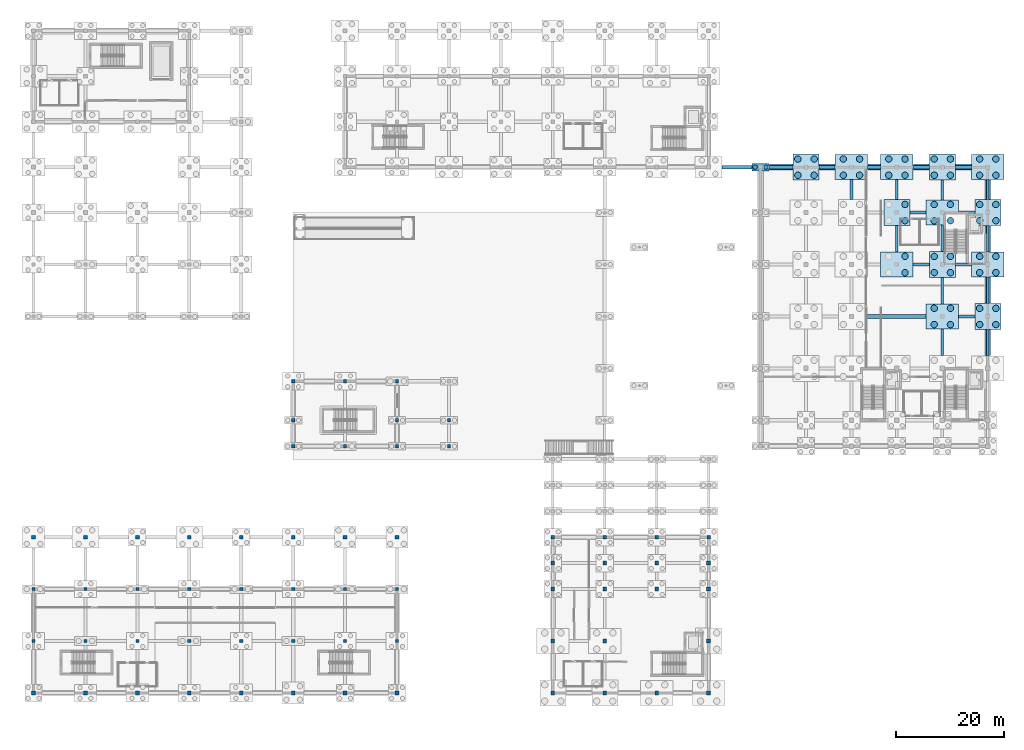
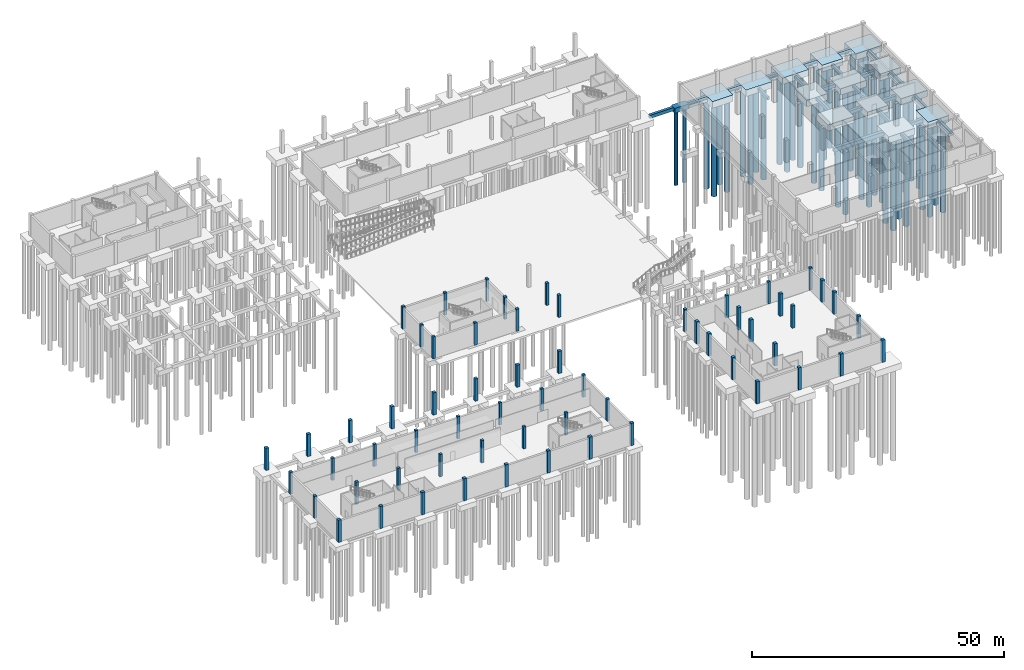
# One storey, part 9 of 41: 61 columns, 50 piles, 46 footings.
"""IFC4 building model written with IfcOpenShell, lengths in metres."""

from ifc_helpers import new_model, si_unit, direction, frame, origin, origin_2d, place, context, subcontext, project, spatial, rectangle, circle, extrude, material, material_profile, profile_set, type_object, element, save


model = new_model("IFC4")

# Units and contexts
model_context = context("Model", 3, precision=1e-05, world=origin(), true_north=direction((0.0, 1.0)))
body_context = subcontext(model_context, "Body", "Model", "MODEL_VIEW")
ifc_project = project(units=[si_unit("LENGTHUNIT", "METRE"), si_unit("AREAUNIT", "SQUARE_METRE"), si_unit("VOLUMEUNIT", "CUBIC_METRE"), si_unit("PLANEANGLEUNIT", "RADIAN"), si_unit("MASSUNIT", "GRAM", prefix="KILO")], contexts=[model_context])

# Site, building, storey
site_placement = place(None, origin())
site = spatial("IfcSite", under=ifc_project, at=site_placement, CompositionType="ELEMENT")
building_placement = place(site_placement, origin())
building = spatial("IfcBuilding", under=site, at=building_placement, Name="Shalvenor Court Art Gallery", CompositionType="ELEMENT")
storey_placement = place(building_placement, frame((0.0, 0.0, -5.39990234375)))
storey = spatial("IfcBuildingStorey", under=building, at=storey_placement, Name="B01", CompositionType="ELEMENT", Elevation=-5.39990234375)

# Footings
ifc_material_1 = material(Name="Concrete C35/45", Category="concrete")
footing_type_1 = type_object("IfcFootingType", Name="GB-01", PredefinedType="FOOTING_BEAM", material=ifc_material_1)
for number, where, z_axis, x_axis, name in (
    (1, (172.5, 69.60009765625, -1.26025390625), (0.0, 0.0, 1.0), (1.0, 0.0, 0.0), "B01 Ground Tie Beam FTG-413"),
    (2, (164.10009765625, 79.199951171875, -1.26025390625), (0.0, 0.0, 1.0), (1.0, 0.0, 0.0), "B01 Ground Tie Beam FTG-421"),
    (3, (171.89990234375, 79.199951171875, -1.26025390625), (0.0, 0.0, 1.0), (1.0, 0.0, 0.0), "B01 Ground Tie Beam FTG-422"),
    (4, (163.5, 88.800048828125, -1.26025390625), (0.0, 0.0, 1.0), (1.0, 0.0, 0.0), "B01 Ground Tie Beam FTG-430"),
    (5, (172.5, 88.800048828125, -1.26025390625), (0.0, 0.0, 1.0), (1.0, 0.0, 0.0), "B01 Ground Tie Beam FTG-431"),
):
    element("IfcFooting", number, at=place(storey_placement, frame(where, z_axis=z_axis, x_axis=x_axis)), inside=storey, type_object=footing_type_1, Name=name, PredefinedType="FOOTING_BEAM", context=body_context, shape_type="SweptSolid", body=[
        extrude(rectangle(XDim=3.0, YDim=0.60009765625, at=origin_2d()), origin(), (0.0, 0.0, 1.0), 0.800048828125),
    ])
footing_1_placement = place(storey_placement, frame((130.050048828125, 97.199951171875, -0.80029296875), z_axis=(0.0, 0.0, 1.0), x_axis=(1.0, 0.0, 0.0)))
element("IfcFooting", 6, at=footing_1_placement, inside=storey, type_object=footing_type_1, Name="B01 Ground Tie Beam FTG-441", PredefinedType="FOOTING_BEAM", context=body_context, shape_type="SweptSolid", body=[
    extrude(rectangle(XDim=5.5, YDim=0.60009765625, at=origin_2d()), origin(), (0.0, 0.0, 1.0), 0.800048828125),
])
footing_2_placement = place(storey_placement, frame((138.199951171875, 97.199951171875, -0.80029296875), z_axis=(0.0, 0.0, 1.0), x_axis=(1.0, 0.0, 0.0)))
element("IfcFooting", 7, at=footing_2_placement, inside=storey, type_object=footing_type_1, Name="B01 Ground Tie Beam FTG-442", PredefinedType="FOOTING_BEAM", context=body_context, shape_type="SweptSolid", body=[
    extrude(rectangle(XDim=4.39990234375, YDim=0.60009765625, at=origin_2d()), origin(), (0.0, 0.0, 1.0), 0.800048828125),
])
footing_3_placement = place(storey_placement, frame((146.699951171875, 97.199951171875, -0.80029296875), z_axis=(0.0, 0.0, 1.0), x_axis=(1.0, 0.0, 0.0)))
element("IfcFooting", 8, at=footing_3_placement, inside=storey, type_object=footing_type_1, Name="B01 Ground Tie Beam FTG-443", PredefinedType="FOOTING_BEAM", context=body_context, shape_type="SweptSolid", body=[
    extrude(rectangle(XDim=3.0, YDim=0.60009765625, at=origin_2d()), origin(), (0.0, 0.0, 1.0), 0.800048828125),
])
footing_4_placement = place(storey_placement, frame((155.39990234375, 97.199951171875, -0.80029296875), z_axis=(0.0, 0.0, 1.0), x_axis=(1.0, 0.0, 0.0)))
element("IfcFooting", 9, at=footing_4_placement, inside=storey, type_object=footing_type_1, Name="B01 Ground Tie Beam FTG-444", PredefinedType="FOOTING_BEAM", context=body_context, shape_type="SweptSolid", body=[
    extrude(rectangle(XDim=2.39990234375, YDim=0.60009765625, at=origin_2d()), origin(), (0.0, 0.0, 1.0), 0.800048828125),
])
for number, where, z_axis, x_axis, name in (
    (10, (164.10009765625, 97.199951171875, -0.80029296875), (0.0, 0.0, 1.0), (1.0, 0.0, 0.0), "B01 Ground Tie Beam FTG-445"),
    (11, (171.89990234375, 97.199951171875, -0.80029296875), (0.0, 0.0, 1.0), (1.0, 0.0, 0.0), "B01 Ground Tie Beam FTG-446"),
):
    element("IfcFooting", number, at=place(storey_placement, frame(where, z_axis=z_axis, x_axis=x_axis)), inside=storey, type_object=footing_type_1, Name=name, PredefinedType="FOOTING_BEAM", context=body_context, shape_type="SweptSolid", body=[
        extrude(rectangle(XDim=3.0, YDim=0.60009765625, at=origin_2d()), origin(), (0.0, 0.0, 1.0), 0.800048828125),
    ])
ifc_material_2 = material(Name="Concrete C35/45", Category="concrete")
footing_type_2 = type_object("IfcFootingType", Name="GB-02", PredefinedType="FOOTING_BEAM", material=ifc_material_2)
footing_5_placement = place(storey_placement, frame((151.199951171875, 93.050048828125, -1.16015625), z_axis=(0.0, 0.0, 1.0), x_axis=(0.0, 1.0, 0.0)))
element("IfcFooting", 12, at=footing_5_placement, inside=storey, type_object=footing_type_2, Name="B01 Ground Tie Beam FTG-317", PredefinedType="FOOTING_BEAM", context=body_context, shape_type="SweptSolid", body=[
    extrude(rectangle(XDim=3.699951171875, YDim=0.5, at=origin_2d()), origin(), (0.0, 0.0, 1.0), 0.699951171875),
])
footing_6_placement = place(storey_placement, frame((159.60009765625, 83.949951171875, -1.16015625), z_axis=(0.0, 0.0, 1.0), x_axis=(0.0, 1.0, 0.0)))
element("IfcFooting", 13, at=footing_6_placement, inside=storey, type_object=footing_type_2, Name="B01 Ground Tie Beam FTG-320", PredefinedType="FOOTING_BEAM", context=body_context, shape_type="SweptSolid", body=[
    extrude(rectangle(XDim=4.89990234375, YDim=0.5, at=origin_2d()), origin(), (0.0, 0.0, 1.0), 0.699951171875),
])
footing_7_placement = place(storey_placement, frame((159.60009765625, 93.050048828125, -1.16015625), z_axis=(0.0, 0.0, 1.0), x_axis=(0.0, 1.0, 0.0)))
element("IfcFooting", 14, at=footing_7_placement, inside=storey, type_object=footing_type_2, Name="B01 Ground Tie Beam FTG-321", PredefinedType="FOOTING_BEAM", context=body_context, shape_type="SweptSolid", body=[
    extrude(rectangle(XDim=3.699951171875, YDim=0.5, at=origin_2d()), origin(), (0.0, 0.0, 1.0), 0.699951171875),
])
for number, where, z_axis, x_axis, name in (
    (15, (168.0, 64.85009765625, -1.16015625), (0.0, 0.0, 1.0), (0.0, 1.0, 0.0), "B01 Ground Tie Beam FTG-324"),
    (16, (168.0, 74.35009765625, -1.16015625), (0.0, 0.0, 1.0), (0.0, 1.0, 0.0), "B01 Ground Tie Beam FTG-325"),
    (17, (168.0, 84.050048828125, -1.16015625), (0.0, 0.0, 1.0), (0.0, 1.0, 0.0), "B01 Ground Tie Beam FTG-326"),
):
    element("IfcFooting", number, at=place(storey_placement, frame(where, z_axis=z_axis, x_axis=x_axis)), inside=storey, type_object=footing_type_2, Name=name, PredefinedType="FOOTING_BEAM", context=body_context, shape_type="SweptSolid", body=[
        extrude(rectangle(XDim=4.89990234375, YDim=0.5, at=origin_2d()), origin(), (0.0, 0.0, 1.0), 0.699951171875),
    ])
footing_8_placement = place(storey_placement, frame((168.0, 92.949951171875, -1.16015625), z_axis=(0.0, 0.0, 1.0), x_axis=(0.0, 1.0, 0.0)))
element("IfcFooting", 18, at=footing_8_placement, inside=storey, type_object=footing_type_2, Name="B01 Ground Tie Beam FTG-327", PredefinedType="FOOTING_BEAM", context=body_context, shape_type="SweptSolid", body=[
    extrude(rectangle(XDim=3.699951171875, YDim=0.5, at=origin_2d()), origin(), (0.0, 0.0, 1.0), 0.699951171875),
])
for number, where, z_axis, x_axis, name in (
    (19, (176.39990234375, 64.75, -0.7001953125), (0.0, 0.0, 1.0), (0.0, 1.0, 0.0), "B01 Ground Tie Beam FTG-330"),
    (20, (176.39990234375, 74.449951171875, -0.7001953125), (0.0, 0.0, 1.0), (0.0, 1.0, 0.0), "B01 Ground Tie Beam FTG-331"),
    (21, (176.39990234375, 83.949951171875, -0.7001953125), (0.0, 0.0, 1.0), (0.0, 1.0, 0.0), "B01 Ground Tie Beam FTG-332"),
):
    element("IfcFooting", number, at=place(storey_placement, frame(where, z_axis=z_axis, x_axis=x_axis)), inside=storey, type_object=footing_type_2, Name=name, PredefinedType="FOOTING_BEAM", context=body_context, shape_type="SweptSolid", body=[
        extrude(rectangle(XDim=4.89990234375, YDim=0.5, at=origin_2d()), origin(), (0.0, 0.0, 1.0), 0.699951171875),
    ])
footing_9_placement = place(storey_placement, frame((176.39990234375, 93.050048828125, -0.7001953125), z_axis=(0.0, 0.0, 1.0), x_axis=(0.0, 1.0, 0.0)))
element("IfcFooting", 22, at=footing_9_placement, inside=storey, type_object=footing_type_2, Name="B01 Ground Tie Beam FTG-333", PredefinedType="FOOTING_BEAM", context=body_context, shape_type="SweptSolid", body=[
    extrude(rectangle(XDim=3.699951171875, YDim=0.5, at=origin_2d()), origin(), (0.0, 0.0, 1.0), 0.699951171875),
])
ifc_material_3 = material(Name="Concrete C35/45", Category="concrete")
footing_type_3 = type_object("IfcFootingType", Name="GB-03", PredefinedType="FOOTING_BEAM", material=ifc_material_3)
footing_10_placement = place(storey_placement, frame((159.300048828125, 69.60009765625, -1.360107421875), z_axis=(0.0, 0.0, 1.0), x_axis=(1.0, 0.0, 0.0)))
element("IfcFooting", 23, at=footing_10_placement, inside=storey, type_object=footing_type_3, Name="B01 Ground Tie Beam FTG-412", PredefinedType="FOOTING_BEAM", context=body_context, shape_type="SweptSolid", body=[
    extrude(rectangle(XDim=11.39990234375, YDim=0.699951171875, at=origin_2d()), origin(), (0.0, 0.0, 1.0), 0.89990234375),
])
ifc_material_4 = material(Name="Concrete C35/45", Category="concrete")
footing_type_4 = type_object("IfcFootingType", Name="PC-01", PredefinedType="PILE_CAP", material=ifc_material_4)
footing_11_placement = place(storey_placement, frame((134.39990234375, 97.199951171875, -1.2001953125), z_axis=(0.0, 0.0, 1.0), x_axis=(1.0, 0.0, 0.0)))
element("IfcFooting", 24, at=footing_11_placement, inside=storey, type_object=footing_type_4, Name="B01 Pile Cap FTG-150", PredefinedType="PILE_CAP", context=body_context, shape_type="SweptSolid", body=[
    extrude(rectangle(XDim=3.199951171875, YDim=1.39990234375, at=origin_2d()), origin(), (0.0, 0.0, 1.0), 1.199951171875),
])
ifc_material_5 = material(Name="Concrete C35/45", Category="concrete")
footing_type_5 = type_object("IfcFootingType", Name="PC-08", PredefinedType="PILE_CAP", material=ifc_material_5)
for number, where, z_axis, x_axis, name in (
    (25, (142.800048828125, 97.199951171875, -1.60009765625), (0.0, 0.0, 1.0), (1.0, 0.0, 0.0), "B01 Pile Cap FTG-157"),
    (26, (159.60009765625, 88.800048828125, -2.06005859375), (0.0, 0.0, 1.0), (1.0, 0.0, 0.0), "B01 Pile Cap FTG-169"),
    (27, (168.0, 79.199951171875, -2.06005859375), (0.0, 0.0, 1.0), (1.0, 0.0, 0.0), "B01 Pile Cap FTG-175"),
    (28, (168.0, 97.199951171875, -1.60009765625), (0.0, 0.0, 1.0), (1.0, 0.0, 0.0), "B01 Pile Cap FTG-177"),
    (29, (176.39990234375, 69.60009765625, -1.60009765625), (0.0, 0.0, 1.0), (1.0, 0.0, 0.0), "B01 Pile Cap FTG-181"),
    (30, (176.39990234375, 88.800048828125, -1.60009765625), (0.0, 0.0, 1.0), (1.0, 0.0, 0.0), "B01 Pile Cap FTG-183"),
):
    element("IfcFooting", number, at=place(storey_placement, frame(where, z_axis=z_axis, x_axis=x_axis)), inside=storey, type_object=footing_type_5, Name=name, PredefinedType="PILE_CAP", context=body_context, shape_type="SweptSolid", body=[
        extrude(rectangle(XDim=4.800048828125, YDim=4.800048828125, at=origin_2d()), origin(), (0.0, 0.0, 1.0), 1.60009765625),
    ])
ifc_material_6 = material(Name="Concrete C35/45", Category="concrete")
footing_type_6 = type_object("IfcFootingType", Name="PC-09", PredefinedType="PILE_CAP", material=ifc_material_6)
for number, where, z_axis, x_axis, name in (
    (31, (151.199951171875, 97.199951171875, -1.55029296875), (0.0, 0.0, 1.0), (1.0, 0.0, 0.0), "B01 Pile Cap FTG-164"),
    (32, (159.60009765625, 79.199951171875, -2.01025390625), (0.0, 0.0, 1.0), (1.0, 0.0, 0.0), "B01 Pile Cap FTG-168"),
    (33, (159.60009765625, 97.199951171875, -1.55029296875), (0.0, 0.0, 1.0), (1.0, 0.0, 0.0), "B01 Pile Cap FTG-170"),
    (34, (168.0, 69.60009765625, -2.01025390625), (0.0, 0.0, 1.0), (1.0, 0.0, 0.0), "B01 Pile Cap FTG-174"),
    (35, (168.0, 88.800048828125, -2.01025390625), (0.0, 0.0, 1.0), (1.0, 0.0, 0.0), "B01 Pile Cap FTG-176"),
    (36, (176.39990234375, 79.199951171875, -1.55029296875), (0.0, 0.0, 1.0), (1.0, 0.0, 0.0), "B01 Pile Cap FTG-182"),
    (37, (176.39990234375, 97.199951171875, -1.55029296875), (0.0, 0.0, 1.0), (1.0, 0.0, 0.0), "B01 Pile Cap FTG-184"),
):
    element("IfcFooting", number, at=place(storey_placement, frame(where, z_axis=z_axis, x_axis=x_axis)), inside=storey, type_object=footing_type_6, Name=name, PredefinedType="PILE_CAP", context=body_context, shape_type="SweptSolid", body=[
        extrude(rectangle(XDim=6.0, YDim=4.60009765625, at=origin_2d()), origin(), (0.0, 0.0, 1.0), 1.550048828125),
    ])

# Piles
ifc_material_7 = material(Name="Concrete C35/45", Category="concrete")
ifc_material_profile_1 = material_profile(ifc_material_7, circle(Radius=0.60009765625, at=origin_2d()), Name="PILE 1200")
ifc_profile_set_1 = profile_set([ifc_material_profile_1], Name="Concrete C35/45")
pile_type_1 = type_object("IfcPileType", Name="PL-1200", PredefinedType="BORED", material=ifc_profile_set_1)
for number, where, z_axis, x_axis, name in (
    (38, (141.300048828125, 95.699951171875, -1.5), (0.0, 0.0, -1.0), (1.0, 0.0, 0.0), "B01 Bored Pile PIL-PL-1200-0523"),
    (39, (144.300048828125, 95.699951171875, -1.5), (0.0, 0.0, -1.0), (1.0, 0.0, 0.0), "B01 Bored Pile PIL-PL-1200-0524"),
    (40, (141.300048828125, 98.699951171875, -1.5), (0.0, 0.0, -1.0), (1.0, 0.0, 0.0), "B01 Bored Pile PIL-PL-1200-0525"),
    (41, (144.300048828125, 98.699951171875, -1.5), (0.0, 0.0, -1.0), (1.0, 0.0, 0.0), "B01 Bored Pile PIL-PL-1200-0526"),
    (42, (149.699951171875, 95.699951171875, -1.4501953125), (0.0, 0.0, -1.0), (1.0, 0.0, 0.0), "B01 Bored Pile PIL-PL-1200-0551"),
    (43, (152.699951171875, 95.699951171875, -1.4501953125), (0.0, 0.0, -1.0), (1.0, 0.0, 0.0), "B01 Bored Pile PIL-PL-1200-0552"),
    (44, (149.699951171875, 98.699951171875, -1.4501953125), (0.0, 0.0, -1.0), (1.0, 0.0, 0.0), "B01 Bored Pile PIL-PL-1200-0553"),
    (45, (152.699951171875, 98.699951171875, -1.4501953125), (0.0, 0.0, -1.0), (1.0, 0.0, 0.0), "B01 Bored Pile PIL-PL-1200-0554"),
    (46, (161.10009765625, 77.699951171875, -1.91015625), (0.0, 0.0, -1.0), (1.0, 0.0, 0.0), "B01 Bored Pile PIL-PL-1200-0568"),
    (47, (161.10009765625, 80.699951171875, -1.91015625), (0.0, 0.0, -1.0), (1.0, 0.0, 0.0), "B01 Bored Pile PIL-PL-1200-0570"),
    (48, (161.10009765625, 87.300048828125, -1.960205078125), (0.0, 0.0, -1.0), (1.0, 0.0, 0.0), "B01 Bored Pile PIL-PL-1200-0572"),
    (49, (161.10009765625, 90.300048828125, -1.960205078125), (0.0, 0.0, -1.0), (1.0, 0.0, 0.0), "B01 Bored Pile PIL-PL-1200-0574"),
    (50, (158.10009765625, 95.699951171875, -1.4501953125), (0.0, 0.0, -1.0), (1.0, 0.0, 0.0), "B01 Bored Pile PIL-PL-1200-0575"),
    (51, (161.10009765625, 95.699951171875, -1.4501953125), (0.0, 0.0, -1.0), (1.0, 0.0, 0.0), "B01 Bored Pile PIL-PL-1200-0576"),
    (52, (158.10009765625, 98.699951171875, -1.4501953125), (0.0, 0.0, -1.0), (1.0, 0.0, 0.0), "B01 Bored Pile PIL-PL-1200-0577"),
    (53, (161.10009765625, 98.699951171875, -1.4501953125), (0.0, 0.0, -1.0), (1.0, 0.0, 0.0), "B01 Bored Pile PIL-PL-1200-0578"),
    (54, (166.5, 68.10009765625, -1.91015625), (0.0, 0.0, -1.0), (1.0, 0.0, 0.0), "B01 Bored Pile PIL-PL-1200-0591"),
    (55, (169.5, 68.10009765625, -1.91015625), (0.0, 0.0, -1.0), (1.0, 0.0, 0.0), "B01 Bored Pile PIL-PL-1200-0592"),
    (56, (166.5, 71.10009765625, -1.91015625), (0.0, 0.0, -1.0), (1.0, 0.0, 0.0), "B01 Bored Pile PIL-PL-1200-0593"),
    (57, (169.5, 71.10009765625, -1.91015625), (0.0, 0.0, -1.0), (1.0, 0.0, 0.0), "B01 Bored Pile PIL-PL-1200-0594"),
    (58, (166.5, 77.699951171875, -1.960205078125), (0.0, 0.0, -1.0), (1.0, 0.0, 0.0), "B01 Bored Pile PIL-PL-1200-0595"),
    (59, (169.5, 77.699951171875, -1.960205078125), (0.0, 0.0, -1.0), (1.0, 0.0, 0.0), "B01 Bored Pile PIL-PL-1200-0596"),
    (60, (166.5, 80.699951171875, -1.960205078125), (0.0, 0.0, -1.0), (1.0, 0.0, 0.0), "B01 Bored Pile PIL-PL-1200-0597"),
    (61, (169.5, 80.699951171875, -1.960205078125), (0.0, 0.0, -1.0), (1.0, 0.0, 0.0), "B01 Bored Pile PIL-PL-1200-0598"),
    (62, (166.5, 87.300048828125, -1.91015625), (0.0, 0.0, -1.0), (1.0, 0.0, 0.0), "B01 Bored Pile PIL-PL-1200-0599"),
    (63, (169.5, 87.300048828125, -1.91015625), (0.0, 0.0, -1.0), (1.0, 0.0, 0.0), "B01 Bored Pile PIL-PL-1200-0600"),
    (64, (166.5, 90.300048828125, -1.91015625), (0.0, 0.0, -1.0), (1.0, 0.0, 0.0), "B01 Bored Pile PIL-PL-1200-0601"),
    (65, (169.5, 90.300048828125, -1.91015625), (0.0, 0.0, -1.0), (1.0, 0.0, 0.0), "B01 Bored Pile PIL-PL-1200-0602"),
    (66, (166.5, 95.699951171875, -1.5), (0.0, 0.0, -1.0), (1.0, 0.0, 0.0), "B01 Bored Pile PIL-PL-1200-0603"),
    (67, (169.5, 95.699951171875, -1.5), (0.0, 0.0, -1.0), (1.0, 0.0, 0.0), "B01 Bored Pile PIL-PL-1200-0604"),
    (68, (166.5, 98.699951171875, -1.5), (0.0, 0.0, -1.0), (1.0, 0.0, 0.0), "B01 Bored Pile PIL-PL-1200-0605"),
    (69, (169.5, 98.699951171875, -1.5), (0.0, 0.0, -1.0), (1.0, 0.0, 0.0), "B01 Bored Pile PIL-PL-1200-0606"),
    (70, (174.89990234375, 68.10009765625, -1.5), (0.0, 0.0, -1.0), (1.0, 0.0, 0.0), "B01 Bored Pile PIL-PL-1200-0619"),
    (71, (177.89990234375, 68.10009765625, -1.5), (0.0, 0.0, -1.0), (1.0, 0.0, 0.0), "B01 Bored Pile PIL-PL-1200-0620"),
    (72, (174.89990234375, 71.10009765625, -1.5), (0.0, 0.0, -1.0), (1.0, 0.0, 0.0), "B01 Bored Pile PIL-PL-1200-0621"),
    (73, (177.89990234375, 71.10009765625, -1.5), (0.0, 0.0, -1.0), (1.0, 0.0, 0.0), "B01 Bored Pile PIL-PL-1200-0622"),
    (74, (174.89990234375, 77.699951171875, -1.4501953125), (0.0, 0.0, -1.0), (1.0, 0.0, 0.0), "B01 Bored Pile PIL-PL-1200-0623"),
    (75, (177.89990234375, 77.699951171875, -1.4501953125), (0.0, 0.0, -1.0), (1.0, 0.0, 0.0), "B01 Bored Pile PIL-PL-1200-0624"),
    (76, (174.89990234375, 80.699951171875, -1.4501953125), (0.0, 0.0, -1.0), (1.0, 0.0, 0.0), "B01 Bored Pile PIL-PL-1200-0625"),
    (77, (177.89990234375, 80.699951171875, -1.4501953125), (0.0, 0.0, -1.0), (1.0, 0.0, 0.0), "B01 Bored Pile PIL-PL-1200-0626"),
    (78, (174.89990234375, 87.300048828125, -1.5), (0.0, 0.0, -1.0), (1.0, 0.0, 0.0), "B01 Bored Pile PIL-PL-1200-0627"),
    (79, (177.89990234375, 87.300048828125, -1.5), (0.0, 0.0, -1.0), (1.0, 0.0, 0.0), "B01 Bored Pile PIL-PL-1200-0628"),
    (80, (174.89990234375, 90.300048828125, -1.5), (0.0, 0.0, -1.0), (1.0, 0.0, 0.0), "B01 Bored Pile PIL-PL-1200-0629"),
    (81, (177.89990234375, 90.300048828125, -1.5), (0.0, 0.0, -1.0), (1.0, 0.0, 0.0), "B01 Bored Pile PIL-PL-1200-0630"),
    (82, (174.89990234375, 95.699951171875, -1.4501953125), (0.0, 0.0, -1.0), (1.0, 0.0, 0.0), "B01 Bored Pile PIL-PL-1200-0631"),
    (83, (177.89990234375, 95.699951171875, -1.4501953125), (0.0, 0.0, -1.0), (1.0, 0.0, 0.0), "B01 Bored Pile PIL-PL-1200-0632"),
    (84, (174.89990234375, 98.699951171875, -1.4501953125), (0.0, 0.0, -1.0), (1.0, 0.0, 0.0), "B01 Bored Pile PIL-PL-1200-0633"),
    (85, (177.89990234375, 98.699951171875, -1.4501953125), (0.0, 0.0, -1.0), (1.0, 0.0, 0.0), "B01 Bored Pile PIL-PL-1200-0634"),
):
    element("IfcPile", number, at=place(storey_placement, frame(where, z_axis=z_axis, x_axis=x_axis)), inside=storey, type_object=pile_type_1, Name=name, PredefinedType="BORED", context=body_context, shape_type="SweptSolid", body=[
        extrude(circle(Radius=0.60009765625, at=origin_2d()), origin(), (0.0, 0.0, 1.0), 22.0),
    ])
ifc_material_8 = material(Name="Concrete C35/45", Category="concrete")
ifc_material_profile_2 = material_profile(ifc_material_8, circle(Radius=0.39990234375, at=origin_2d()), Name="PILE 800")
ifc_profile_set_2 = profile_set([ifc_material_profile_2], Name="Concrete C35/45")
pile_type_2 = type_object("IfcPileType", Name="PL-800", PredefinedType="BORED", material=ifc_profile_set_2)
for number, where, z_axis, x_axis, name in (
    (86, (133.39990234375, 97.199951171875, -1.10009765625), (0.0, 0.0, -1.0), (1.0, 0.0, 0.0), "B01 Bored Pile PIL-PL-800-0497"),
    (87, (135.39990234375, 97.199951171875, -1.10009765625), (0.0, 0.0, -1.0), (1.0, 0.0, 0.0), "B01 Bored Pile PIL-PL-800-0498"),
):
    element("IfcPile", number, at=place(storey_placement, frame(where, z_axis=z_axis, x_axis=x_axis)), inside=storey, type_object=pile_type_2, Name=name, PredefinedType="BORED", context=body_context, shape_type="SweptSolid", body=[
        extrude(circle(Radius=0.39990234375, at=origin_2d()), origin(), (0.0, 0.0, 1.0), 18.0),
    ])

# Footings
ifc_material_9 = material(Name="Concrete C35/45", Category="concrete")
footing_type_7 = type_object("IfcFootingType", Name="SF-02", PredefinedType="STRIP_FOOTING", material=ifc_material_9)
footing_12_placement = place(storey_placement, frame((138.199951171875, 97.199951171875, -1.16015625), z_axis=(0.0, 0.0, 1.0), x_axis=(1.0, 0.0, 0.0)))
element("IfcFooting", 88, at=footing_12_placement, inside=storey, type_object=footing_type_7, Name="B01 Strip Footing FTG-476", PredefinedType="STRIP_FOOTING", context=body_context, shape_type="SweptSolid", body=[
    extrude(rectangle(XDim=4.320068359375, YDim=1.10009765625, at=origin_2d()), origin(), (0.0, 0.0, 1.0), 0.699951171875),
])
footing_13_placement = place(storey_placement, frame((146.699951171875, 97.199951171875, -1.16015625), z_axis=(0.0, 0.0, 1.0), x_axis=(1.0, 0.0, 0.0)))
element("IfcFooting", 89, at=footing_13_placement, inside=storey, type_object=footing_type_7, Name="B01 Strip Footing FTG-477", PredefinedType="STRIP_FOOTING", context=body_context, shape_type="SweptSolid", body=[
    extrude(rectangle(XDim=2.919921875, YDim=1.10009765625, at=origin_2d()), origin(), (0.0, 0.0, 1.0), 0.699951171875),
])
footing_14_placement = place(storey_placement, frame((155.39990234375, 97.199951171875, -1.16015625), z_axis=(0.0, 0.0, 1.0), x_axis=(1.0, 0.0, 0.0)))
element("IfcFooting", 90, at=footing_14_placement, inside=storey, type_object=footing_type_7, Name="B01 Strip Footing FTG-478", PredefinedType="STRIP_FOOTING", context=body_context, shape_type="SweptSolid", body=[
    extrude(rectangle(XDim=2.320068359375, YDim=1.10009765625, at=origin_2d()), origin(), (0.0, 0.0, 1.0), 0.699951171875),
])
for number, where, z_axis, x_axis, name in (
    (91, (164.10009765625, 97.199951171875, -1.16015625), (0.0, 0.0, 1.0), (1.0, 0.0, 0.0), "B01 Strip Footing FTG-479"),
    (92, (171.89990234375, 97.199951171875, -1.16015625), (0.0, 0.0, 1.0), (1.0, 0.0, 0.0), "B01 Strip Footing FTG-480"),
):
    element("IfcFooting", number, at=place(storey_placement, frame(where, z_axis=z_axis, x_axis=x_axis)), inside=storey, type_object=footing_type_7, Name=name, PredefinedType="STRIP_FOOTING", context=body_context, shape_type="SweptSolid", body=[
        extrude(rectangle(XDim=2.919921875, YDim=1.10009765625, at=origin_2d()), origin(), (0.0, 0.0, 1.0), 0.699951171875),
    ])
footing_15_placement = place(storey_placement, frame((176.39990234375, 93.050048828125, -1.16015625), z_axis=(0.0, 0.0, 1.0), x_axis=(0.0, 1.0, 0.0)))
element("IfcFooting", 93, at=footing_15_placement, inside=storey, type_object=footing_type_7, Name="B01 Strip Footing FTG-481", PredefinedType="STRIP_FOOTING", context=body_context, shape_type="SweptSolid", body=[
    extrude(rectangle(XDim=3.6201171875, YDim=1.10009765625, at=origin_2d()), origin(), (0.0, 0.0, 1.0), 0.699951171875),
])
for number, where, z_axis, x_axis, name in (
    (94, (176.39990234375, 83.949951171875, -1.16015625), (0.0, 0.0, 1.0), (0.0, 1.0, 0.0), "B01 Strip Footing FTG-482"),
    (95, (176.39990234375, 74.449951171875, -1.16015625), (0.0, 0.0, 1.0), (0.0, 1.0, 0.0), "B01 Strip Footing FTG-483"),
    (96, (176.39990234375, 64.75, -1.16015625), (0.0, 0.0, 1.0), (0.0, 1.0, 0.0), "B01 Strip Footing FTG-484"),
):
    element("IfcFooting", number, at=place(storey_placement, frame(where, z_axis=z_axis, x_axis=x_axis)), inside=storey, type_object=footing_type_7, Name=name, PredefinedType="STRIP_FOOTING", context=body_context, shape_type="SweptSolid", body=[
        extrude(rectangle(XDim=4.820068359375, YDim=1.10009765625, at=origin_2d()), origin(), (0.0, 0.0, 1.0), 0.699951171875),
    ])

# Columns
ifc_material_10 = material(Name="Concrete C40/50", Category="concrete")
ifc_material_profile_3 = material_profile(ifc_material_10, rectangle(XDim=0.699951171875, YDim=0.699951171875, at=origin_2d()), Name="RC 700x700")
ifc_profile_set_3 = profile_set([ifc_material_profile_3], Name="Concrete C40/50")
column_type_1 = type_object("IfcColumnType", Name="C-02", PredefinedType="COLUMN", material=ifc_profile_set_3)
for number, where, z_axis, x_axis, name in (
    (97, (105.60009765625, 9.60009765625, 0.0), (0.0, 0.0, 1.0), (1.0, 0.0, 0.0), "B01 Column COL-B01-C-02-0395"),
    (98, (105.60009765625, 19.199951171875, 0.0), (0.0, 0.0, 1.0), (1.0, 0.0, 0.0), "B01 Column COL-B01-C-02-0401"),
    (99, (105.60009765625, 24.0, 0.0), (0.0, 0.0, 1.0), (1.0, 0.0, 0.0), "B01 Column COL-B01-C-02-0407"),
    (100, (115.199951171875, 19.199951171875, 0.0), (0.0, 0.0, 1.0), (1.0, 0.0, 0.0), "B01 Column COL-B01-C-02-0451"),
    (101, (115.199951171875, 24.0, 0.0), (0.0, 0.0, 1.0), (1.0, 0.0, 0.0), "B01 Column COL-B01-C-02-0457"),
):
    element("IfcColumn", number, at=place(storey_placement, frame(where, z_axis=z_axis, x_axis=x_axis)), inside=storey, type_object=column_type_1, Name=name, PredefinedType="COLUMN", context=body_context, shape_type="SweptSolid", body=[
        extrude(rectangle(XDim=0.699951171875, YDim=0.699951171875, at=origin_2d()), origin(), (0.0, 0.0, 1.0), 5.39990234375),
    ])
ifc_material_11 = material(Name="Concrete C40/50", Category="concrete")
ifc_material_profile_4 = material_profile(ifc_material_11, rectangle(XDim=0.699951171875, YDim=0.699951171875, at=origin_2d()), Name="RC 700x700")
ifc_profile_set_4 = profile_set([ifc_material_profile_4], Name="Concrete C40/50")
column_type_2 = type_object("IfcColumnType", Name="C-02E", PredefinedType="COLUMN", material=ifc_profile_set_4)
for number, where, z_axis, x_axis, name in (
    (102, (0.0, 0.0, 0.0), (0.0, 0.0, 1.0), (1.0, 0.0, 0.0), "B01 Column COL-B01-C-02E-0001"),
    (103, (0.0, 28.800048828125, 0.0), (0.0, 0.0, 1.0), (1.0, 0.0, 0.0), "B01 Column COL-B01-C-02E-0011"),
    (104, (9.60009765625, 0.0, 0.0), (0.0, 0.0, 1.0), (1.0, 0.0, 0.0), "B01 Column COL-B01-C-02E-0043"),
    (105, (9.60009765625, 28.800048828125, 0.0), (0.0, 0.0, 1.0), (1.0, 0.0, 0.0), "B01 Column COL-B01-C-02E-0053"),
    (106, (19.199951171875, 0.0, 0.0), (0.0, 0.0, 1.0), (1.0, 0.0, 0.0), "B01 Column COL-B01-C-02E-0085"),
    (107, (19.199951171875, 28.800048828125, 0.0), (0.0, 0.0, 1.0), (1.0, 0.0, 0.0), "B01 Column COL-B01-C-02E-0095"),
    (108, (28.800048828125, 0.0, 0.0), (0.0, 0.0, 1.0), (1.0, 0.0, 0.0), "B01 Column COL-B01-C-02E-0118"),
    (109, (28.800048828125, 28.800048828125, 0.0), (0.0, 0.0, 1.0), (1.0, 0.0, 0.0), "B01 Column COL-B01-C-02E-0128"),
    (110, (38.39990234375, 0.0, 0.0), (0.0, 0.0, 1.0), (1.0, 0.0, 0.0), "B01 Column COL-B01-C-02E-0160"),
    (111, (38.39990234375, 28.800048828125, 0.0), (0.0, 0.0, 1.0), (1.0, 0.0, 0.0), "B01 Column COL-B01-C-02E-0170"),
    (112, (48.0, 0.0, 0.0), (0.0, 0.0, 1.0), (1.0, 0.0, 0.0), "B01 Column COL-B01-C-02E-0194"),
    (113, (48.0, 28.800048828125, 0.0), (0.0, 0.0, 1.0), (1.0, 0.0, 0.0), "B01 Column COL-B01-C-02E-0204"),
    (114, (57.60009765625, 0.0, 0.0), (0.0, 0.0, 1.0), (1.0, 0.0, 0.0), "B01 Column COL-B01-C-02E-0217"),
    (115, (57.60009765625, 28.800048828125, 0.0), (0.0, 0.0, 1.0), (1.0, 0.0, 0.0), "B01 Column COL-B01-C-02E-0227"),
    (116, (67.199951171875, 0.0, 0.0), (0.0, 0.0, 1.0), (1.0, 0.0, 0.0), "B01 Column COL-B01-C-02E-0255"),
    (117, (67.199951171875, 28.800048828125, 0.0), (0.0, 0.0, 1.0), (1.0, 0.0, 0.0), "B01 Column COL-B01-C-02E-0265"),
    (118, (96.0, 0.0, 0.0), (0.0, 0.0, 1.0), (1.0, 0.0, 0.0), "B01 Column COL-B01-C-02E-0338"),
    (119, (96.0, 9.60009765625, 0.0), (0.0, 0.0, 1.0), (1.0, 0.0, 0.0), "B01 Column COL-B01-C-02E-0344"),
    (120, (96.0, 19.199951171875, 0.0), (0.0, 0.0, 1.0), (1.0, 0.0, 0.0), "B01 Column COL-B01-C-02E-0350"),
    (121, (96.0, 24.0, 0.0), (0.0, 0.0, 1.0), (1.0, 0.0, 0.0), "B01 Column COL-B01-C-02E-0356"),
    (122, (105.60009765625, 0.0, 0.0), (0.0, 0.0, 1.0), (1.0, 0.0, 0.0), "B01 Column COL-B01-C-02E-0389"),
    (123, (115.199951171875, 0.0, 0.0), (0.0, 0.0, 1.0), (1.0, 0.0, 0.0), "B01 Column COL-B01-C-02E-0445"),
    (124, (124.800048828125, 0.0, 0.0), (0.0, 0.0, 1.0), (1.0, 0.0, 0.0), "B01 Column COL-B01-C-02E-0486"),
    (125, (124.800048828125, 9.60009765625, 0.0), (0.0, 0.0, 1.0), (1.0, 0.0, 0.0), "B01 Column COL-B01-C-02E-0492"),
    (126, (124.800048828125, 19.199951171875, 0.0), (0.0, 0.0, 1.0), (1.0, 0.0, 0.0), "B01 Column COL-B01-C-02E-0498"),
    (127, (124.800048828125, 24.0, 0.0), (0.0, 0.0, 1.0), (1.0, 0.0, 0.0), "B01 Column COL-B01-C-02E-0504"),
):
    element("IfcColumn", number, at=place(storey_placement, frame(where, z_axis=z_axis, x_axis=x_axis)), inside=storey, type_object=column_type_2, Name=name, PredefinedType="COLUMN", context=body_context, shape_type="SweptSolid", body=[
        extrude(rectangle(XDim=0.699951171875, YDim=0.699951171875, at=origin_2d()), origin(), (0.0, 0.0, 1.0), 5.39990234375),
    ])
ifc_material_12 = material(Name="Concrete C40/50", Category="concrete")
ifc_material_profile_5 = material_profile(ifc_material_12, rectangle(XDim=0.60009765625, YDim=0.60009765625, at=origin_2d()), Name="RC 600x600")
ifc_profile_set_5 = profile_set([ifc_material_profile_5], Name="Concrete C40/50")
column_type_3 = type_object("IfcColumnType", Name="C-03", PredefinedType="COLUMN", material=ifc_profile_set_5)
for number, where, z_axis, x_axis, name in (
    (128, (9.60009765625, 9.60009765625, 0.0), (0.0, 0.0, 1.0), (1.0, 0.0, 0.0), "B01 Column COL-B01-C-03-0047"),
    (129, (9.60009765625, 19.199951171875, 0.0), (0.0, 0.0, 1.0), (1.0, 0.0, 0.0), "B01 Column COL-B01-C-03-0050"),
    (130, (19.199951171875, 9.60009765625, 0.0), (0.0, 0.0, 1.0), (1.0, 0.0, 0.0), "B01 Column COL-B01-C-03-0089"),
    (131, (19.199951171875, 19.199951171875, 0.0), (0.0, 0.0, 1.0), (1.0, 0.0, 0.0), "B01 Column COL-B01-C-03-0092"),
    (132, (28.800048828125, 9.60009765625, 0.0), (0.0, 0.0, 1.0), (1.0, 0.0, 0.0), "B01 Column COL-B01-C-03-0122"),
    (133, (28.800048828125, 19.199951171875, 0.0), (0.0, 0.0, 1.0), (1.0, 0.0, 0.0), "B01 Column COL-B01-C-03-0125"),
    (134, (38.39990234375, 9.60009765625, 0.0), (0.0, 0.0, 1.0), (1.0, 0.0, 0.0), "B01 Column COL-B01-C-03-0164"),
    (135, (38.39990234375, 19.199951171875, 0.0), (0.0, 0.0, 1.0), (1.0, 0.0, 0.0), "B01 Column COL-B01-C-03-0167"),
    (136, (48.0, 9.60009765625, 0.0), (0.0, 0.0, 1.0), (1.0, 0.0, 0.0), "B01 Column COL-B01-C-03-0198"),
    (137, (48.0, 19.199951171875, 0.0), (0.0, 0.0, 1.0), (1.0, 0.0, 0.0), "B01 Column COL-B01-C-03-0201"),
    (138, (57.60009765625, 9.60009765625, 0.0), (0.0, 0.0, 1.0), (1.0, 0.0, 0.0), "B01 Column COL-B01-C-03-0221"),
    (139, (57.60009765625, 19.199951171875, 0.0), (0.0, 0.0, 1.0), (1.0, 0.0, 0.0), "B01 Column COL-B01-C-03-0224"),
    (140, (105.60009765625, 28.800048828125, 0.0), (0.0, 0.0, 1.0), (1.0, 0.0, 0.0), "B01 Column COL-B01-C-03-0412"),
    (141, (115.199951171875, 28.800048828125, 0.0), (0.0, 0.0, 1.0), (1.0, 0.0, 0.0), "B01 Column COL-B01-C-03-0462"),
):
    element("IfcColumn", number, at=place(storey_placement, frame(where, z_axis=z_axis, x_axis=x_axis)), inside=storey, type_object=column_type_3, Name=name, PredefinedType="COLUMN", context=body_context, shape_type="SweptSolid", body=[
        extrude(rectangle(XDim=0.60009765625, YDim=0.60009765625, at=origin_2d()), origin(), (0.0, 0.0, 1.0), 5.39990234375),
    ])
ifc_material_13 = material(Name="Concrete C40/50", Category="concrete")
ifc_material_profile_6 = material_profile(ifc_material_13, rectangle(XDim=0.60009765625, YDim=0.60009765625, at=origin_2d()), Name="RC 600x600")
ifc_profile_set_6 = profile_set([ifc_material_profile_6], Name="Concrete C40/50")
column_type_4 = type_object("IfcColumnType", Name="C-03E", PredefinedType="COLUMN", material=ifc_profile_set_6)
for number, where, z_axis, x_axis, name in (
    (142, (0.0, 9.60009765625, 0.0), (0.0, 0.0, 1.0), (1.0, 0.0, 0.0), "B01 Column COL-B01-C-03E-0005"),
    (143, (0.0, 19.199951171875, 0.0), (0.0, 0.0, 1.0), (1.0, 0.0, 0.0), "B01 Column COL-B01-C-03E-0008"),
    (144, (48.0, 45.60009765625, 0.0), (0.0, 0.0, 1.0), (1.0, 0.0, 0.0), "B01 Column COL-B01-C-03E-0208"),
    (145, (48.0, 50.39990234375, 0.0), (0.0, 0.0, 1.0), (1.0, 0.0, 0.0), "B01 Column COL-B01-C-03E-0211"),
    (146, (48.0, 57.60009765625, 0.0), (0.0, 0.0, 1.0), (1.0, 0.0, 0.0), "B01 Column COL-B01-C-03E-0214"),
    (147, (57.60009765625, 45.60009765625, 0.0), (0.0, 0.0, 1.0), (1.0, 0.0, 0.0), "B01 Column COL-B01-C-03E-0231"),
    (148, (57.60009765625, 57.60009765625, 0.0), (0.0, 0.0, 1.0), (1.0, 0.0, 0.0), "B01 Column COL-B01-C-03E-0234"),
    (149, (67.199951171875, 9.60009765625, 0.0), (0.0, 0.0, 1.0), (1.0, 0.0, 0.0), "B01 Column COL-B01-C-03E-0259"),
    (150, (67.199951171875, 19.199951171875, 0.0), (0.0, 0.0, 1.0), (1.0, 0.0, 0.0), "B01 Column COL-B01-C-03E-0262"),
    (151, (67.199951171875, 45.60009765625, 0.0), (0.0, 0.0, 1.0), (1.0, 0.0, 0.0), "B01 Column COL-B01-C-03E-0269"),
    (152, (67.199951171875, 50.39990234375, 0.0), (0.0, 0.0, 1.0), (1.0, 0.0, 0.0), "B01 Column COL-B01-C-03E-0272"),
    (153, (67.199951171875, 57.60009765625, 0.0), (0.0, 0.0, 1.0), (1.0, 0.0, 0.0), "B01 Column COL-B01-C-03E-0275"),
    (154, (76.800048828125, 45.60009765625, 0.0), (0.0, 0.0, 1.0), (1.0, 0.0, 0.0), "B01 Column COL-B01-C-03E-0296"),
    (155, (76.800048828125, 50.39990234375, 0.0), (0.0, 0.0, 1.0), (1.0, 0.0, 0.0), "B01 Column COL-B01-C-03E-0298"),
    (156, (96.0, 28.800048828125, 0.0), (0.0, 0.0, 1.0), (1.0, 0.0, 0.0), "B01 Column COL-B01-C-03E-0361"),
    (157, (124.800048828125, 28.800048828125, 0.0), (0.0, 0.0, 1.0), (1.0, 0.0, 0.0), "B01 Column COL-B01-C-03E-0509"),
):
    element("IfcColumn", number, at=place(storey_placement, frame(where, z_axis=z_axis, x_axis=x_axis)), inside=storey, type_object=column_type_4, Name=name, PredefinedType="COLUMN", context=body_context, shape_type="SweptSolid", body=[
        extrude(rectangle(XDim=0.60009765625, YDim=0.60009765625, at=origin_2d()), origin(), (0.0, 0.0, 1.0), 5.39990234375),
    ])

save(model, "model.ifc")
